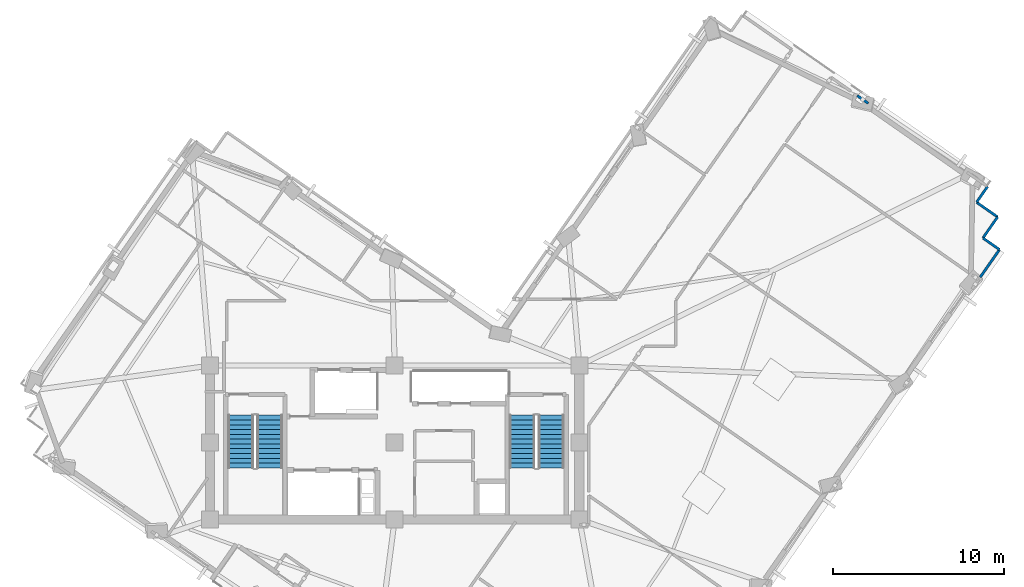
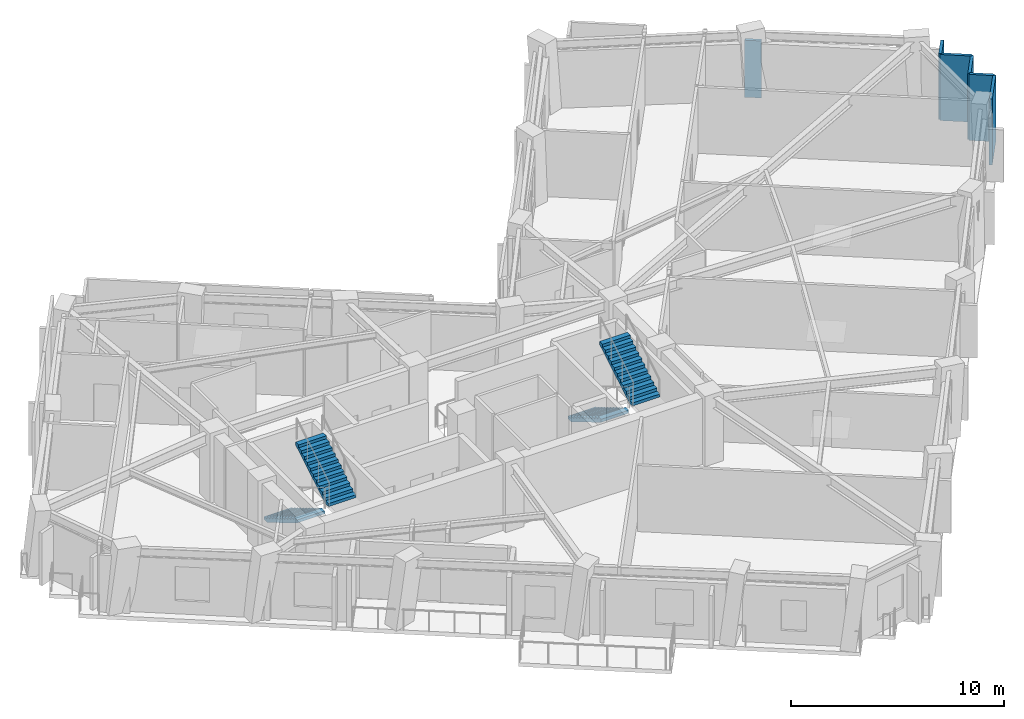
# One storey, part 7 of 12: 6 walls, 4 stair flights, 2 elements without a shape of their own.
"""IFC4 building model written with IfcOpenShell, lengths in metres."""

from ifc_helpers import new_model, si_unit, direction, frame, frame_2d, origin, place, context, subcontext, project, spatial, polyline, rectangle, outline, extrude, material, layer, layer_set, type_object, element, aggregate, save


model = new_model("IFC4")

# Units and contexts
model_context = context("Model", 3, precision=1e-05, world=origin(), true_north=direction((0.0, 1.0)))
body_context = subcontext(model_context, "Body", "Model", "MODEL_VIEW")
ifc_project = project(units=[si_unit("LENGTHUNIT", "METRE"), si_unit("AREAUNIT", "SQUARE_METRE"), si_unit("VOLUMEUNIT", "CUBIC_METRE"), si_unit("PLANEANGLEUNIT", "RADIAN"), si_unit("MASSUNIT", "GRAM", prefix="KILO")], contexts=[model_context])

# Site, building, storey
site_placement = place(None, origin())
site = spatial("IfcSite", under=ifc_project, at=site_placement, CompositionType="ELEMENT")
building_placement = place(site_placement, origin())
building = spatial("IfcBuilding", under=site, at=building_placement, Name="Gaonmaruhae Medical Tower", CompositionType="ELEMENT")
storey_placement = place(building_placement, frame((0.0, 0.0, 259.199951171875)))
storey = spatial("IfcBuildingStorey", under=building, at=storey_placement, Name="L62", CompositionType="ELEMENT", Elevation=259.199951171875)

# Walls
ifc_material_1 = material(Name="Gypsum board partition", Category="gypsum")
ifc_layer = layer(ifc_material_1, 0.14990234375)
ifc_layer_set = layer_set([ifc_layer], Name="Gypsum board partition")
wall_type = type_object("IfcWallType", Name="PW-150 Rated Clinical Corridor Partition", PredefinedType="PARTITIONING", material=ifc_layer_set)
wall_1_placement = place(storey_placement, frame((60.052001953125, 25.489990234375, 0.0), z_axis=(0.0, 0.0, 1.0), x_axis=(-0.571779386992, -0.820407418672, 0.0)))
element("IfcWall", 1, at=wall_1_placement, inside=storey, type_object=wall_type, Name="L62 Interior Partition L62-SUP06-28", PredefinedType="PARTITIONING", context=body_context, shape_type="SweptSolid", body=[
    extrude(rectangle(XDim=1.50048828125, YDim=0.14990234375, at=frame_2d((0.750244140625, 0.0))), origin(), (0.0, 0.0, 1.0), 3.780029296875),
])
wall_2_placement = place(storey_placement, frame((59.194091796875, 24.259033203125, 0.0), z_axis=(0.0, 0.0, 1.0), x_axis=(0.819912240949, -0.572489228844, 0.0)))
element("IfcWall", 2, at=wall_2_placement, inside=storey, type_object=wall_type, Name="L62 Interior Partition L62-SUP06-29", PredefinedType="PARTITIONING", context=body_context, shape_type="SweptSolid", body=[
    extrude(rectangle(XDim=1.17919921875, YDim=0.14990234375, at=frame_2d((0.589599609375, 0.0))), origin(), (0.0, 0.0, 1.0), 3.780029296875),
])
wall_3_placement = place(storey_placement, frame((60.160888671875, 23.583984375, 0.0), z_axis=(0.0, 0.0, 1.0), x_axis=(-0.572324731786, -0.820027073569, 0.0)))
element("IfcWall", 3, at=wall_3_placement, inside=storey, type_object=wall_type, Name="L62 Interior Partition L62-SUP06-30", PredefinedType="PARTITIONING", context=body_context, shape_type="SweptSolid", body=[
    extrude(rectangle(XDim=1.97412109375, YDim=0.14990234375, at=frame_2d((0.987060546875, 0.0))), origin(), (0.0, 0.0, 1.0), 3.780029296875),
])
wall_4_placement = place(storey_placement, frame((51.844970703125, 32.580078125, 0.0), z_axis=(0.0, 0.0, 1.0), x_axis=(0.820746875408, -0.571292015093, 0.0)))
element("IfcWall", 4, at=wall_4_placement, inside=storey, type_object=wall_type, Name="L62 Interior Partition L62-SUP06-34", PredefinedType="PARTITIONING", context=body_context, shape_type="SweptSolid", body=[
    extrude(rectangle(XDim=0.785888671875, YDim=0.14990234375, at=frame_2d((0.39306640625, 0.0))), origin(), (0.0, 0.0, 1.0), 3.26513671875),
])
wall_5_placement = place(storey_placement, frame((59.462890625, 27.26611328125, 0.0), z_axis=(0.0, 0.0, 1.0), x_axis=(-0.572335057341, -0.820019866917, 0.0)))
element("IfcWall", 5, at=wall_5_placement, inside=storey, type_object=wall_type, Name="L62 Interior Partition L62-SUP06-36", PredefinedType="PARTITIONING", context=body_context, shape_type="SweptSolid", body=[
    extrude(rectangle(XDim=1.11962890625, YDim=0.14990234375, at=frame_2d((0.559814453125, 0.0))), origin(), (0.0, 0.0, 1.0), 3.780029296875),
])
wall_6_placement = place(storey_placement, frame((58.822021484375, 26.347900390625, 0.0), z_axis=(0.0, 0.0, 1.0), x_axis=(0.820194461806, -0.572084823102, 0.0)))
element("IfcWall", 6, at=wall_6_placement, inside=storey, type_object=wall_type, Name="L62 Interior Partition L62-SUP06-37", PredefinedType="PARTITIONING", context=body_context, shape_type="SweptSolid", body=[
    extrude(rectangle(XDim=1.49951171875, YDim=0.14990234375, at=frame_2d((0.749755859375, 0.0))), origin(), (0.0, 0.0, 1.0), 3.780029296875),
])

# Stair, stair flights
ifc_material_2 = material(Name="Concrete C40/50", Category="concrete")
stair_type = type_object("IfcStairType", Name="ST-T1 Primary Core Escape Dogleg Stair", PredefinedType="TWO_QUARTER_TURN_STAIR", material=ifc_material_2)
stair_1_placement = place(storey_placement, origin())
stair_1 = element("IfcStair", 7, at=stair_1_placement, inside=storey, type_object=stair_type, Name="L62 Protected Escape Stair ST-01", PredefinedType="TWO_QUARTER_TURN_STAIR")
stair_flight_type = type_object("IfcStairFlightType", Name="SF-T1 Primary Core Precast Stair Flight", PredefinedType="STRAIGHT", material=ifc_material_2)
stair_flight_1_placement = place(storey_placement, frame((15.800048828125, 13.89990234375, 0.0), z_axis=(0.0, 0.0, 1.0), x_axis=(0.0, -1.0, 0.0)))
stair_flight_1 = element("IfcStairFlight", 8, at=stair_flight_1_placement, type_object=stair_flight_type, Name="ST-01 flight 1", NumberOfRisers=12, NumberOfTreads=11, PredefinedType="STRAIGHT", RiserHeight=0.166666667, TreadLength=0.28, context=body_context, shape_type="SweptSolid", body=[
    extrude(outline(polyline([(0.0, 0.0), (0.0, 0.166748046875), (0.280029296875, 0.166748046875), (0.280029296875, 0.333251953125), (0.56005859375, 0.333251953125), (0.56005859375, 0.5), (0.840087890625, 0.5), (0.840087890625, 0.666748046875), (1.1201171875, 0.666748046875), (1.1201171875, 0.833251953125), (1.39990234375, 0.833251953125), (1.39990234375, 1.0), (1.679931640625, 1.0), (1.679931640625, 1.166748046875), (1.9599609375, 1.166748046875), (1.9599609375, 1.333251953125), (2.239990234375, 1.333251953125), (2.239990234375, 1.5), (2.52001953125, 1.5), (2.52001953125, 1.666748046875), (2.800048828125, 1.666748046875), (2.800048828125, 1.833251953125), (3.080078125, 1.833251953125), (3.080078125, 2.0), (3.080078125, 1.658935546875), (0.29296875, 0.0), (0.0, 0.0)])), frame((0.0, 0.75, 0.0), z_axis=(0.0, -1.0, 0.0), x_axis=(1.0, 0.0, 0.0)), (0.0, 0.0, 1.0), 1.5),
])
stair_flight_2_placement = place(storey_placement, frame((17.5, 10.820068359375, 2.0), z_axis=(0.0, 0.0, 1.0), x_axis=(0.0, 1.0, 0.0)))
stair_flight_2 = element("IfcStairFlight", 9, at=stair_flight_2_placement, type_object=stair_flight_type, Name="ST-01 flight 2", NumberOfRisers=12, NumberOfTreads=11, PredefinedType="STRAIGHT", RiserHeight=0.166666667, TreadLength=0.28, context=body_context, shape_type="SweptSolid", body=[
    extrude(outline(polyline([(0.0, 0.0), (0.0, 0.166748046875), (0.280029296875, 0.166748046875), (0.280029296875, 0.333251953125), (0.56005859375, 0.333251953125), (0.56005859375, 0.5), (0.840087890625, 0.5), (0.840087890625, 0.666748046875), (1.1201171875, 0.666748046875), (1.1201171875, 0.833251953125), (1.39990234375, 0.833251953125), (1.39990234375, 1.0), (1.679931640625, 1.0), (1.679931640625, 1.166748046875), (1.9599609375, 1.166748046875), (1.9599609375, 1.333251953125), (2.239990234375, 1.333251953125), (2.239990234375, 1.5), (2.52001953125, 1.5), (2.52001953125, 1.666748046875), (2.800048828125, 1.666748046875), (2.800048828125, 1.833251953125), (3.080078125, 1.833251953125), (3.080078125, 2.0), (3.080078125, 1.658935546875), (0.29296875, 0.0), (0.0, 0.0)])), frame((0.0, 0.75, 0.0), z_axis=(0.0, -1.0, 0.0), x_axis=(1.0, 0.0, 0.0)), (0.0, 0.0, 1.0), 1.5),
])
aggregate(stair_1, [stair_flight_1, stair_flight_2])

stair_2_placement = place(storey_placement, origin())
stair_2 = element("IfcStair", 10, at=stair_2_placement, inside=storey, type_object=stair_type, Name="L62 Protected Escape Stair ST-02", PredefinedType="TWO_QUARTER_TURN_STAIR")
stair_flight_3_placement = place(storey_placement, frame((32.25, 13.89990234375, 0.0), z_axis=(0.0, 0.0, 1.0), x_axis=(0.0, -1.0, 0.0)))
stair_flight_3 = element("IfcStairFlight", 11, at=stair_flight_3_placement, type_object=stair_flight_type, Name="ST-02 flight 1", NumberOfRisers=12, NumberOfTreads=11, PredefinedType="STRAIGHT", RiserHeight=0.166666667, TreadLength=0.28, context=body_context, shape_type="SweptSolid", body=[
    extrude(outline(polyline([(0.0, 0.0), (0.0, 0.166748046875), (0.280029296875, 0.166748046875), (0.280029296875, 0.333251953125), (0.56005859375, 0.333251953125), (0.56005859375, 0.5), (0.840087890625, 0.5), (0.840087890625, 0.666748046875), (1.1201171875, 0.666748046875), (1.1201171875, 0.833251953125), (1.39990234375, 0.833251953125), (1.39990234375, 1.0), (1.679931640625, 1.0), (1.679931640625, 1.166748046875), (1.9599609375, 1.166748046875), (1.9599609375, 1.333251953125), (2.239990234375, 1.333251953125), (2.239990234375, 1.5), (2.52001953125, 1.5), (2.52001953125, 1.666748046875), (2.800048828125, 1.666748046875), (2.800048828125, 1.833251953125), (3.080078125, 1.833251953125), (3.080078125, 2.0), (3.080078125, 1.658935546875), (0.29296875, 0.0), (0.0, 0.0)])), frame((0.0, 0.75, 0.0), z_axis=(0.0, -1.0, 0.0), x_axis=(1.0, 0.0, 0.0)), (0.0, 0.0, 1.0), 1.5),
])
stair_flight_4_placement = place(storey_placement, frame((33.949951171875, 10.820068359375, 2.0), z_axis=(0.0, 0.0, 1.0), x_axis=(0.0, 1.0, 0.0)))
stair_flight_4 = element("IfcStairFlight", 12, at=stair_flight_4_placement, type_object=stair_flight_type, Name="ST-02 flight 2", NumberOfRisers=12, NumberOfTreads=11, PredefinedType="STRAIGHT", RiserHeight=0.166666667, TreadLength=0.28, context=body_context, shape_type="SweptSolid", body=[
    extrude(outline(polyline([(0.0, 0.0), (0.0, 0.166748046875), (0.280029296875, 0.166748046875), (0.280029296875, 0.333251953125), (0.56005859375, 0.333251953125), (0.56005859375, 0.5), (0.840087890625, 0.5), (0.840087890625, 0.666748046875), (1.1201171875, 0.666748046875), (1.1201171875, 0.833251953125), (1.39990234375, 0.833251953125), (1.39990234375, 1.0), (1.679931640625, 1.0), (1.679931640625, 1.166748046875), (1.9599609375, 1.166748046875), (1.9599609375, 1.333251953125), (2.239990234375, 1.333251953125), (2.239990234375, 1.5), (2.52001953125, 1.5), (2.52001953125, 1.666748046875), (2.800048828125, 1.666748046875), (2.800048828125, 1.833251953125), (3.080078125, 1.833251953125), (3.080078125, 2.0), (3.080078125, 1.658935546875), (0.29296875, 0.0), (0.0, 0.0)])), frame((0.0, 0.75, 0.0), z_axis=(0.0, -1.0, 0.0), x_axis=(1.0, 0.0, 0.0)), (0.0, 0.0, 1.0), 1.5),
])
aggregate(stair_2, [stair_flight_3, stair_flight_4])

save(model, "model.ifc")
